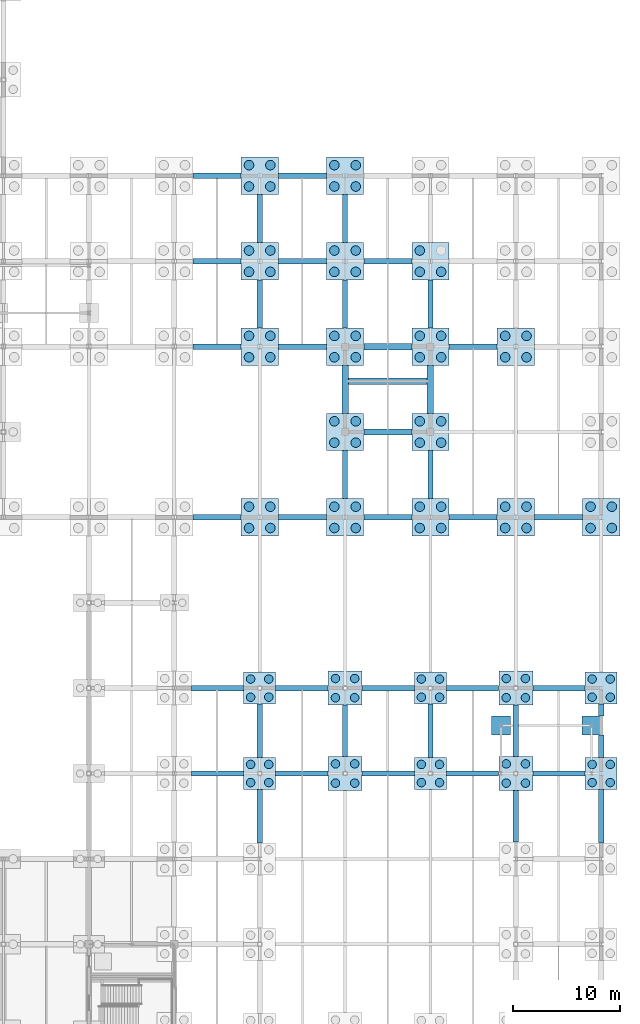
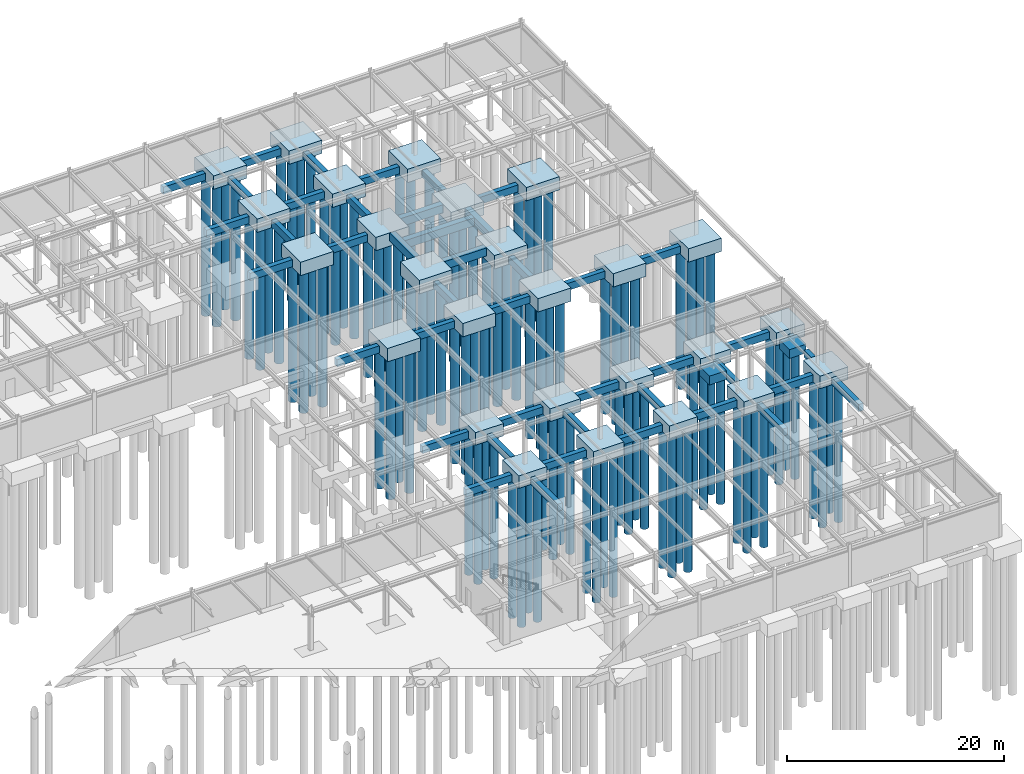
# One storey, part 10 of 72: 103 piles, 72 footings.
"""IFC4 building model written with IfcOpenShell, lengths in metres."""

from ifc_helpers import new_model, si_unit, direction, frame, origin, origin_2d, place, context, subcontext, project, spatial, rectangle, circle, extrude, material, material_profile, profile_set, type_object, element, save


model = new_model("IFC4")

# Units and contexts
model_context = context("Model", 3, precision=1e-05, world=origin(), true_north=direction((0.0, 1.0)))
body_context = subcontext(model_context, "Body", "Model", "MODEL_VIEW")
ifc_project = project(units=[si_unit("LENGTHUNIT", "METRE"), si_unit("AREAUNIT", "SQUARE_METRE"), si_unit("VOLUMEUNIT", "CUBIC_METRE"), si_unit("PLANEANGLEUNIT", "RADIAN"), si_unit("MASSUNIT", "GRAM", prefix="KILO")], contexts=[model_context])

# Site, building, storey
site_placement = place(None, origin())
site = spatial("IfcSite", under=ifc_project, at=site_placement, CompositionType="ELEMENT")
building_placement = place(site_placement, origin())
building = spatial("IfcBuilding", under=site, at=building_placement, Name="Zhaolan Boulevard Law Courts", CompositionType="ELEMENT")
storey_placement = place(building_placement, frame((0.0, 0.0, -4.800048828125)))
storey = spatial("IfcBuildingStorey", under=building, at=storey_placement, Name="B1", CompositionType="ELEMENT", Elevation=-4.800048828125)

# Piles
ifc_material_1 = material(Name="Concrete C40", Category="concrete")
ifc_material_profile_1 = material_profile(ifc_material_1, circle(Radius=0.39990234375, at=origin_2d()), Name="PILE-D800")
ifc_profile_set_1 = profile_set([ifc_material_profile_1], Name="Concrete C40")
pile_type_1 = type_object("IfcPileType", Name="BORED PILE D800", PredefinedType="BORED", material=ifc_profile_set_1)
for number, where, z_axis, x_axis, name in (
    (1, (131.14990234375, 37.14990234375, -1.300048828125), (0.0, 0.0, -1.0), (1.0, 0.0, 0.0), "Bored Pile P-17F-1"),
    (2, (132.85009765625, 37.14990234375, -1.300048828125), (0.0, 0.0, -1.0), (1.0, 0.0, 0.0), "Bored Pile P-17F-2"),
    (3, (131.14990234375, 38.85009765625, -1.300048828125), (0.0, 0.0, -1.0), (1.0, 0.0, 0.0), "Bored Pile P-17F-3"),
    (4, (132.85009765625, 38.85009765625, -1.300048828125), (0.0, 0.0, -1.0), (1.0, 0.0, 0.0), "Bored Pile P-17F-4"),
    (5, (131.14990234375, 45.14990234375, -1.300048828125), (0.0, 0.0, -1.0), (1.0, 0.0, 0.0), "Bored Pile P-17G-1"),
    (6, (132.85009765625, 45.14990234375, -1.300048828125), (0.0, 0.0, -1.0), (1.0, 0.0, 0.0), "Bored Pile P-17G-2"),
    (7, (131.14990234375, 46.85009765625, -1.300048828125), (0.0, 0.0, -1.0), (1.0, 0.0, 0.0), "Bored Pile P-17G-3"),
    (8, (132.85009765625, 46.85009765625, -1.300048828125), (0.0, 0.0, -1.0), (1.0, 0.0, 0.0), "Bored Pile P-17G-4"),
):
    element("IfcPile", number, at=place(storey_placement, frame(where, z_axis=z_axis, x_axis=x_axis)), inside=storey, type_object=pile_type_1, Name=name, PredefinedType="BORED", context=body_context, shape_type="SweptSolid", body=[
        extrude(circle(Radius=0.39990234375, at=origin_2d()), origin(), (0.0, 0.0, 1.0), 16.10009765625),
    ])
for number, where, z_axis, x_axis, name in (
    (9, (139.10009765625, 37.10009765625, -1.349853515625), (0.0, 0.0, -1.0), (1.0, 0.0, 0.0), "Bored Pile P-18F-1"),
    (10, (140.89990234375, 37.10009765625, -1.349853515625), (0.0, 0.0, -1.0), (1.0, 0.0, 0.0), "Bored Pile P-18F-2"),
    (11, (139.10009765625, 38.89990234375, -1.349853515625), (0.0, 0.0, -1.0), (1.0, 0.0, 0.0), "Bored Pile P-18F-3"),
    (12, (140.89990234375, 38.89990234375, -1.349853515625), (0.0, 0.0, -1.0), (1.0, 0.0, 0.0), "Bored Pile P-18F-4"),
    (13, (139.10009765625, 45.10009765625, -1.349853515625), (0.0, 0.0, -1.0), (1.0, 0.0, 0.0), "Bored Pile P-18G-1"),
    (14, (140.89990234375, 45.10009765625, -1.349853515625), (0.0, 0.0, -1.0), (1.0, 0.0, 0.0), "Bored Pile P-18G-2"),
    (15, (139.10009765625, 46.89990234375, -1.349853515625), (0.0, 0.0, -1.0), (1.0, 0.0, 0.0), "Bored Pile P-18G-3"),
    (16, (140.89990234375, 46.89990234375, -1.349853515625), (0.0, 0.0, -1.0), (1.0, 0.0, 0.0), "Bored Pile P-18G-4"),
):
    element("IfcPile", number, at=place(storey_placement, frame(where, z_axis=z_axis, x_axis=x_axis)), inside=storey, type_object=pile_type_1, Name=name, PredefinedType="BORED", context=body_context, shape_type="SweptSolid", body=[
        extrude(circle(Radius=0.39990234375, at=origin_2d()), origin(), (0.0, 0.0, 1.0), 16.050048828125),
    ])
for number, where, z_axis, x_axis, name in (
    (17, (147.14990234375, 37.14990234375, -1.300048828125), (0.0, 0.0, -1.0), (1.0, 0.0, 0.0), "Bored Pile P-19F-1"),
    (18, (148.85009765625, 37.14990234375, -1.300048828125), (0.0, 0.0, -1.0), (1.0, 0.0, 0.0), "Bored Pile P-19F-2"),
    (19, (147.14990234375, 38.85009765625, -1.300048828125), (0.0, 0.0, -1.0), (1.0, 0.0, 0.0), "Bored Pile P-19F-3"),
    (20, (148.85009765625, 38.85009765625, -1.300048828125), (0.0, 0.0, -1.0), (1.0, 0.0, 0.0), "Bored Pile P-19F-4"),
    (21, (147.14990234375, 45.14990234375, -1.300048828125), (0.0, 0.0, -1.0), (1.0, 0.0, 0.0), "Bored Pile P-19G-1"),
    (22, (148.85009765625, 45.14990234375, -1.300048828125), (0.0, 0.0, -1.0), (1.0, 0.0, 0.0), "Bored Pile P-19G-2"),
    (23, (147.14990234375, 46.85009765625, -1.300048828125), (0.0, 0.0, -1.0), (1.0, 0.0, 0.0), "Bored Pile P-19G-3"),
    (24, (148.85009765625, 46.85009765625, -1.300048828125), (0.0, 0.0, -1.0), (1.0, 0.0, 0.0), "Bored Pile P-19G-4"),
):
    element("IfcPile", number, at=place(storey_placement, frame(where, z_axis=z_axis, x_axis=x_axis)), inside=storey, type_object=pile_type_1, Name=name, PredefinedType="BORED", context=body_context, shape_type="SweptSolid", body=[
        extrude(circle(Radius=0.39990234375, at=origin_2d()), origin(), (0.0, 0.0, 1.0), 16.10009765625),
    ])
for number, where, z_axis, x_axis, name in (
    (25, (155.10009765625, 37.10009765625, -1.349853515625), (0.0, 0.0, -1.0), (1.0, 0.0, 0.0), "Bored Pile P-20F-1"),
    (26, (156.89990234375, 37.10009765625, -1.349853515625), (0.0, 0.0, -1.0), (1.0, 0.0, 0.0), "Bored Pile P-20F-2"),
    (27, (155.10009765625, 38.89990234375, -1.349853515625), (0.0, 0.0, -1.0), (1.0, 0.0, 0.0), "Bored Pile P-20F-3"),
    (28, (156.89990234375, 38.89990234375, -1.349853515625), (0.0, 0.0, -1.0), (1.0, 0.0, 0.0), "Bored Pile P-20F-4"),
    (29, (155.10009765625, 45.10009765625, -1.349853515625), (0.0, 0.0, -1.0), (1.0, 0.0, 0.0), "Bored Pile P-20G-1"),
    (30, (156.89990234375, 45.10009765625, -1.349853515625), (0.0, 0.0, -1.0), (1.0, 0.0, 0.0), "Bored Pile P-20G-2"),
    (31, (155.10009765625, 46.89990234375, -1.349853515625), (0.0, 0.0, -1.0), (1.0, 0.0, 0.0), "Bored Pile P-20G-3"),
    (32, (156.89990234375, 46.89990234375, -1.349853515625), (0.0, 0.0, -1.0), (1.0, 0.0, 0.0), "Bored Pile P-20G-4"),
):
    element("IfcPile", number, at=place(storey_placement, frame(where, z_axis=z_axis, x_axis=x_axis)), inside=storey, type_object=pile_type_1, Name=name, PredefinedType="BORED", context=body_context, shape_type="SweptSolid", body=[
        extrude(circle(Radius=0.39990234375, at=origin_2d()), origin(), (0.0, 0.0, 1.0), 16.050048828125),
    ])
for number, where, z_axis, x_axis, name in (
    (33, (163.14990234375, 37.14990234375, -1.300048828125), (0.0, 0.0, -1.0), (1.0, 0.0, 0.0), "Bored Pile P-21F-1"),
    (34, (164.85009765625, 37.14990234375, -1.300048828125), (0.0, 0.0, -1.0), (1.0, 0.0, 0.0), "Bored Pile P-21F-2"),
    (35, (163.14990234375, 38.85009765625, -1.300048828125), (0.0, 0.0, -1.0), (1.0, 0.0, 0.0), "Bored Pile P-21F-3"),
    (36, (164.85009765625, 38.85009765625, -1.300048828125), (0.0, 0.0, -1.0), (1.0, 0.0, 0.0), "Bored Pile P-21F-4"),
    (37, (163.14990234375, 45.14990234375, -1.300048828125), (0.0, 0.0, -1.0), (1.0, 0.0, 0.0), "Bored Pile P-21G-1"),
    (38, (164.85009765625, 45.14990234375, -1.300048828125), (0.0, 0.0, -1.0), (1.0, 0.0, 0.0), "Bored Pile P-21G-2"),
    (39, (163.14990234375, 46.85009765625, -1.300048828125), (0.0, 0.0, -1.0), (1.0, 0.0, 0.0), "Bored Pile P-21G-3"),
    (40, (164.85009765625, 46.85009765625, -1.300048828125), (0.0, 0.0, -1.0), (1.0, 0.0, 0.0), "Bored Pile P-21G-4"),
):
    element("IfcPile", number, at=place(storey_placement, frame(where, z_axis=z_axis, x_axis=x_axis)), inside=storey, type_object=pile_type_1, Name=name, PredefinedType="BORED", context=body_context, shape_type="SweptSolid", body=[
        extrude(circle(Radius=0.39990234375, at=origin_2d()), origin(), (0.0, 0.0, 1.0), 16.10009765625),
    ])
ifc_material_2 = material(Name="Concrete C40", Category="concrete")
ifc_material_profile_2 = material_profile(ifc_material_2, circle(Radius=0.449951171875, at=origin_2d()), Name="PILE-D900")
ifc_profile_set_2 = profile_set([ifc_material_profile_2], Name="Concrete C40")
pile_type_2 = type_object("IfcPileType", Name="BORED PILE D900", PredefinedType="BORED", material=ifc_profile_set_2)
for number, where, z_axis, x_axis, name in (
    (41, (131.0, 61.0, -1.39990234375), (0.0, 0.0, -1.0), (1.0, 0.0, 0.0), "Bored Pile P-17J-1"),
    (42, (133.0, 61.0, -1.39990234375), (0.0, 0.0, -1.0), (1.0, 0.0, 0.0), "Bored Pile P-17J-2"),
    (43, (131.0, 63.0, -1.39990234375), (0.0, 0.0, -1.0), (1.0, 0.0, 0.0), "Bored Pile P-17J-3"),
    (44, (133.0, 63.0, -1.39990234375), (0.0, 0.0, -1.0), (1.0, 0.0, 0.0), "Bored Pile P-17J-4"),
    (45, (131.0, 77.0, -1.39990234375), (0.0, 0.0, -1.0), (1.0, 0.0, 0.0), "Bored Pile P-17L-1"),
    (46, (133.0, 77.0, -1.39990234375), (0.0, 0.0, -1.0), (1.0, 0.0, 0.0), "Bored Pile P-17L-2"),
    (47, (131.0, 79.0, -1.39990234375), (0.0, 0.0, -1.0), (1.0, 0.0, 0.0), "Bored Pile P-17L-3"),
    (48, (133.0, 79.0, -1.39990234375), (0.0, 0.0, -1.0), (1.0, 0.0, 0.0), "Bored Pile P-17L-4"),
    (49, (131.0, 85.0, -1.39990234375), (0.0, 0.0, -1.0), (1.0, 0.0, 0.0), "Bored Pile P-17M-1"),
    (50, (133.0, 85.0, -1.39990234375), (0.0, 0.0, -1.0), (1.0, 0.0, 0.0), "Bored Pile P-17M-2"),
    (51, (131.0, 87.0, -1.39990234375), (0.0, 0.0, -1.0), (1.0, 0.0, 0.0), "Bored Pile P-17M-3"),
    (52, (133.0, 87.0, -1.39990234375), (0.0, 0.0, -1.0), (1.0, 0.0, 0.0), "Bored Pile P-17M-4"),
    (53, (131.0, 93.0, -1.39990234375), (0.0, 0.0, -1.0), (1.0, 0.0, 0.0), "Bored Pile P-17N-1"),
    (54, (133.0, 93.0, -1.39990234375), (0.0, 0.0, -1.0), (1.0, 0.0, 0.0), "Bored Pile P-17N-2"),
    (55, (131.0, 95.0, -1.39990234375), (0.0, 0.0, -1.0), (1.0, 0.0, 0.0), "Bored Pile P-17N-3"),
    (56, (133.0, 95.0, -1.39990234375), (0.0, 0.0, -1.0), (1.0, 0.0, 0.0), "Bored Pile P-17N-4"),
    (57, (139.0, 61.0, -1.39990234375), (0.0, 0.0, -1.0), (1.0, 0.0, 0.0), "Bored Pile P-18J-1"),
    (58, (141.0, 61.0, -1.39990234375), (0.0, 0.0, -1.0), (1.0, 0.0, 0.0), "Bored Pile P-18J-2"),
    (59, (139.0, 63.0, -1.39990234375), (0.0, 0.0, -1.0), (1.0, 0.0, 0.0), "Bored Pile P-18J-3"),
    (60, (141.0, 63.0, -1.39990234375), (0.0, 0.0, -1.0), (1.0, 0.0, 0.0), "Bored Pile P-18J-4"),
    (61, (139.0, 69.0, -1.39990234375), (0.0, 0.0, -1.0), (1.0, 0.0, 0.0), "Bored Pile P-18K-1"),
    (62, (141.0, 69.0, -1.39990234375), (0.0, 0.0, -1.0), (1.0, 0.0, 0.0), "Bored Pile P-18K-2"),
    (63, (139.0, 71.0, -1.39990234375), (0.0, 0.0, -1.0), (1.0, 0.0, 0.0), "Bored Pile P-18K-3"),
    (64, (141.0, 71.0, -1.39990234375), (0.0, 0.0, -1.0), (1.0, 0.0, 0.0), "Bored Pile P-18K-4"),
    (65, (139.0, 77.0, -1.39990234375), (0.0, 0.0, -1.0), (1.0, 0.0, 0.0), "Bored Pile P-18L-1"),
    (66, (141.0, 77.0, -1.39990234375), (0.0, 0.0, -1.0), (1.0, 0.0, 0.0), "Bored Pile P-18L-2"),
    (67, (139.0, 79.0, -1.39990234375), (0.0, 0.0, -1.0), (1.0, 0.0, 0.0), "Bored Pile P-18L-3"),
    (68, (141.0, 79.0, -1.39990234375), (0.0, 0.0, -1.0), (1.0, 0.0, 0.0), "Bored Pile P-18L-4"),
    (69, (139.0, 85.0, -1.39990234375), (0.0, 0.0, -1.0), (1.0, 0.0, 0.0), "Bored Pile P-18M-1"),
    (70, (141.0, 85.0, -1.39990234375), (0.0, 0.0, -1.0), (1.0, 0.0, 0.0), "Bored Pile P-18M-2"),
    (71, (139.0, 87.0, -1.39990234375), (0.0, 0.0, -1.0), (1.0, 0.0, 0.0), "Bored Pile P-18M-3"),
    (72, (141.0, 87.0, -1.39990234375), (0.0, 0.0, -1.0), (1.0, 0.0, 0.0), "Bored Pile P-18M-4"),
    (73, (139.0, 93.0, -1.39990234375), (0.0, 0.0, -1.0), (1.0, 0.0, 0.0), "Bored Pile P-18N-1"),
    (74, (141.0, 93.0, -1.39990234375), (0.0, 0.0, -1.0), (1.0, 0.0, 0.0), "Bored Pile P-18N-2"),
    (75, (139.0, 95.0, -1.39990234375), (0.0, 0.0, -1.0), (1.0, 0.0, 0.0), "Bored Pile P-18N-3"),
    (76, (141.0, 95.0, -1.39990234375), (0.0, 0.0, -1.0), (1.0, 0.0, 0.0), "Bored Pile P-18N-4"),
    (77, (147.0, 61.0, -1.39990234375), (0.0, 0.0, -1.0), (1.0, 0.0, 0.0), "Bored Pile P-19J-1"),
    (78, (149.0, 61.0, -1.39990234375), (0.0, 0.0, -1.0), (1.0, 0.0, 0.0), "Bored Pile P-19J-2"),
    (79, (147.0, 63.0, -1.39990234375), (0.0, 0.0, -1.0), (1.0, 0.0, 0.0), "Bored Pile P-19J-3"),
    (80, (149.0, 63.0, -1.39990234375), (0.0, 0.0, -1.0), (1.0, 0.0, 0.0), "Bored Pile P-19J-4"),
    (81, (147.0, 69.0, -1.39990234375), (0.0, 0.0, -1.0), (1.0, 0.0, 0.0), "Bored Pile P-19K-1"),
    (82, (149.0, 69.0, -1.39990234375), (0.0, 0.0, -1.0), (1.0, 0.0, 0.0), "Bored Pile P-19K-2"),
    (83, (147.0, 71.0, -1.39990234375), (0.0, 0.0, -1.0), (1.0, 0.0, 0.0), "Bored Pile P-19K-3"),
    (84, (149.0, 71.0, -1.39990234375), (0.0, 0.0, -1.0), (1.0, 0.0, 0.0), "Bored Pile P-19K-4"),
    (85, (147.0, 77.0, -1.39990234375), (0.0, 0.0, -1.0), (1.0, 0.0, 0.0), "Bored Pile P-19L-1"),
    (86, (149.0, 77.0, -1.39990234375), (0.0, 0.0, -1.0), (1.0, 0.0, 0.0), "Bored Pile P-19L-2"),
    (87, (147.0, 79.0, -1.39990234375), (0.0, 0.0, -1.0), (1.0, 0.0, 0.0), "Bored Pile P-19L-3"),
    (88, (149.0, 79.0, -1.39990234375), (0.0, 0.0, -1.0), (1.0, 0.0, 0.0), "Bored Pile P-19L-4"),
    (89, (147.0, 85.0, -1.39990234375), (0.0, 0.0, -1.0), (1.0, 0.0, 0.0), "Bored Pile P-19M-1"),
    (90, (149.0, 85.0, -1.39990234375), (0.0, 0.0, -1.0), (1.0, 0.0, 0.0), "Bored Pile P-19M-2"),
    (91, (147.0, 87.0, -1.39990234375), (0.0, 0.0, -1.0), (1.0, 0.0, 0.0), "Bored Pile P-19M-3"),
    (92, (155.0, 61.0, -1.39990234375), (0.0, 0.0, -1.0), (1.0, 0.0, 0.0), "Bored Pile P-20J-1"),
    (93, (157.0, 61.0, -1.39990234375), (0.0, 0.0, -1.0), (1.0, 0.0, 0.0), "Bored Pile P-20J-2"),
    (94, (155.0, 63.0, -1.39990234375), (0.0, 0.0, -1.0), (1.0, 0.0, 0.0), "Bored Pile P-20J-3"),
    (95, (157.0, 63.0, -1.39990234375), (0.0, 0.0, -1.0), (1.0, 0.0, 0.0), "Bored Pile P-20J-4"),
    (96, (155.0, 77.0, -1.39990234375), (0.0, 0.0, -1.0), (1.0, 0.0, 0.0), "Bored Pile P-20L-1"),
    (97, (157.0, 77.0, -1.39990234375), (0.0, 0.0, -1.0), (1.0, 0.0, 0.0), "Bored Pile P-20L-2"),
    (98, (155.0, 79.0, -1.39990234375), (0.0, 0.0, -1.0), (1.0, 0.0, 0.0), "Bored Pile P-20L-3"),
    (99, (157.0, 79.0, -1.39990234375), (0.0, 0.0, -1.0), (1.0, 0.0, 0.0), "Bored Pile P-20L-4"),
    (100, (163.0, 61.0, -1.39990234375), (0.0, 0.0, -1.0), (1.0, 0.0, 0.0), "Bored Pile P-21J-1"),
    (101, (165.0, 61.0, -1.39990234375), (0.0, 0.0, -1.0), (1.0, 0.0, 0.0), "Bored Pile P-21J-2"),
    (102, (163.0, 63.0, -1.39990234375), (0.0, 0.0, -1.0), (1.0, 0.0, 0.0), "Bored Pile P-21J-3"),
    (103, (165.0, 63.0, -1.39990234375), (0.0, 0.0, -1.0), (1.0, 0.0, 0.0), "Bored Pile P-21J-4"),
):
    element("IfcPile", number, at=place(storey_placement, frame(where, z_axis=z_axis, x_axis=x_axis)), inside=storey, type_object=pile_type_2, Name=name, PredefinedType="BORED", context=body_context, shape_type="SweptSolid", body=[
        extrude(circle(Radius=0.449951171875, at=origin_2d()), origin(), (0.0, 0.0, 1.0), 16.0),
    ])

# Footings
ifc_material_3 = material(Name="Concrete C40", Category="concrete")
footing_type_1 = type_object("IfcFootingType", Name="PAD FOOTING 1800X1800X1000", PredefinedType="PAD_FOOTING", material=ifc_material_3)
for number, where, z_axis, x_axis, name in (
    (104, (154.60009765625, 42.5, -1.0), (0.0, 0.0, 1.0), (1.0, 0.0, 0.0), "Stairwell Corner Pad Footing PF-ST07-3"),
    (105, (163.10009765625, 42.5, -1.0), (0.0, 0.0, 1.0), (1.0, 0.0, 0.0), "Stairwell Corner Pad Footing PF-ST07-4"),
):
    element("IfcFooting", number, at=place(storey_placement, frame(where, z_axis=z_axis, x_axis=x_axis)), inside=storey, type_object=footing_type_1, Name=name, PredefinedType="PAD_FOOTING", context=body_context, shape_type="SweptSolid", body=[
        extrude(rectangle(XDim=1.800048828125, YDim=1.800048828125, at=origin_2d()), origin(), (0.0, 0.0, 1.0), 1.0),
    ])
ifc_material_4 = material(Name="Concrete C40", Category="concrete")
footing_type_2 = type_object("IfcFootingType", Name="PILE CAP 3000X3000X1400", PredefinedType="PILE_CAP", material=ifc_material_4)
for number, where, z_axis, x_axis, name in (
    (106, (132.0, 38.0, -1.39990234375), (0.0, 0.0, 1.0), (1.0, 0.0, 0.0), "Pile Cap PC-17F"),
    (107, (132.0, 46.0, -1.39990234375), (0.0, 0.0, 1.0), (1.0, 0.0, 0.0), "Pile Cap PC-17G"),
    (108, (148.0, 38.0, -1.39990234375), (0.0, 0.0, 1.0), (1.0, 0.0, 0.0), "Pile Cap PC-19F"),
    (109, (148.0, 46.0, -1.39990234375), (0.0, 0.0, 1.0), (1.0, 0.0, 0.0), "Pile Cap PC-19G"),
    (110, (164.0, 38.0, -1.39990234375), (0.0, 0.0, 1.0), (1.0, 0.0, 0.0), "Pile Cap PC-21F"),
    (111, (164.0, 46.0, -1.39990234375), (0.0, 0.0, 1.0), (1.0, 0.0, 0.0), "Pile Cap PC-21G"),
):
    element("IfcFooting", number, at=place(storey_placement, frame(where, z_axis=z_axis, x_axis=x_axis)), inside=storey, type_object=footing_type_2, Name=name, PredefinedType="PILE_CAP", context=body_context, shape_type="SweptSolid", body=[
        extrude(rectangle(XDim=3.0, YDim=3.0, at=origin_2d()), origin(), (0.0, 0.0, 1.0), 1.39990234375),
    ])
ifc_material_5 = material(Name="Concrete C40", Category="concrete")
footing_type_3 = type_object("IfcFootingType", Name="PILE CAP 3200X3200X1450", PredefinedType="PILE_CAP", material=ifc_material_5)
for number, where, z_axis, x_axis, name in (
    (112, (140.0, 38.0, -1.44970703125), (0.0, 0.0, 1.0), (1.0, 0.0, 0.0), "Pile Cap PC-18F"),
    (113, (140.0, 46.0, -1.44970703125), (0.0, 0.0, 1.0), (1.0, 0.0, 0.0), "Pile Cap PC-18G"),
    (114, (156.0, 38.0, -1.44970703125), (0.0, 0.0, 1.0), (1.0, 0.0, 0.0), "Pile Cap PC-20F"),
    (115, (156.0, 46.0, -1.44970703125), (0.0, 0.0, 1.0), (1.0, 0.0, 0.0), "Pile Cap PC-20G"),
):
    element("IfcFooting", number, at=place(storey_placement, frame(where, z_axis=z_axis, x_axis=x_axis)), inside=storey, type_object=footing_type_3, Name=name, PredefinedType="PILE_CAP", context=body_context, shape_type="SweptSolid", body=[
        extrude(rectangle(XDim=3.199951171875, YDim=3.199951171875, at=origin_2d()), origin(), (0.0, 0.0, 1.0), 1.449951171875),
    ])
ifc_material_6 = material(Name="Concrete C40", Category="concrete")
footing_type_4 = type_object("IfcFootingType", Name="PILE CAP 3500X3500X1500", PredefinedType="PILE_CAP", material=ifc_material_6)
for number, where, z_axis, x_axis, name in (
    (116, (132.0, 62.0, -1.5), (0.0, 0.0, 1.0), (1.0, 0.0, 0.0), "Pile Cap PC-17J"),
    (117, (132.0, 78.0, -1.5), (0.0, 0.0, 1.0), (1.0, 0.0, 0.0), "Pile Cap PC-17L"),
    (118, (132.0, 86.0, -1.5), (0.0, 0.0, 1.0), (1.0, 0.0, 0.0), "Pile Cap PC-17M"),
    (119, (132.0, 94.0, -1.5), (0.0, 0.0, 1.0), (1.0, 0.0, 0.0), "Pile Cap PC-17N"),
    (120, (140.0, 62.0, -1.5), (0.0, 0.0, 1.0), (1.0, 0.0, 0.0), "Pile Cap PC-18J"),
    (121, (140.0, 70.0, -1.5), (0.0, 0.0, 1.0), (1.0, 0.0, 0.0), "Pile Cap PC-18K"),
    (122, (140.0, 78.0, -1.5), (0.0, 0.0, 1.0), (1.0, 0.0, 0.0), "Pile Cap PC-18L"),
    (123, (140.0, 86.0, -1.5), (0.0, 0.0, 1.0), (1.0, 0.0, 0.0), "Pile Cap PC-18M"),
    (124, (140.0, 94.0, -1.5), (0.0, 0.0, 1.0), (1.0, 0.0, 0.0), "Pile Cap PC-18N"),
    (125, (148.0, 62.0, -1.5), (0.0, 0.0, 1.0), (1.0, 0.0, 0.0), "Pile Cap PC-19J"),
    (126, (148.0, 70.0, -1.5), (0.0, 0.0, 1.0), (1.0, 0.0, 0.0), "Pile Cap PC-19K"),
    (127, (148.0, 78.0, -1.5), (0.0, 0.0, 1.0), (1.0, 0.0, 0.0), "Pile Cap PC-19L"),
    (128, (148.0, 86.0, -1.5), (0.0, 0.0, 1.0), (1.0, 0.0, 0.0), "Pile Cap PC-19M"),
    (129, (156.0, 62.0, -1.5), (0.0, 0.0, 1.0), (1.0, 0.0, 0.0), "Pile Cap PC-20J"),
    (130, (156.0, 78.0, -1.5), (0.0, 0.0, 1.0), (1.0, 0.0, 0.0), "Pile Cap PC-20L"),
    (131, (164.0, 62.0, -1.5), (0.0, 0.0, 1.0), (1.0, 0.0, 0.0), "Pile Cap PC-21J"),
):
    element("IfcFooting", number, at=place(storey_placement, frame(where, z_axis=z_axis, x_axis=x_axis)), inside=storey, type_object=footing_type_4, Name=name, PredefinedType="PILE_CAP", context=body_context, shape_type="SweptSolid", body=[
        extrude(rectangle(XDim=3.5, YDim=3.5, at=origin_2d()), origin(), (0.0, 0.0, 1.0), 1.5),
    ])
ifc_material_7 = material(Name="Concrete C40", Category="concrete")
ifc_material_profile_3 = material_profile(ifc_material_7, rectangle(XDim=0.60009765625, YDim=0.89990234375, at=origin_2d()), Name="RC600x900")
ifc_profile_set_3 = profile_set([ifc_material_profile_3], Name="Concrete C40")
footing_type_5 = type_object("IfcFootingType", Name="STRIP FOOTING 600X900", PredefinedType="STRIP_FOOTING", material=ifc_profile_set_3)
for number, where, z_axis, x_axis, name in (
    (132, (141.751953125, 70.0, -0.449951171875), (1.0, 0.0, 0.0), (0.0, 1.0, 0.0), "Core Foundation Tie Beam GB-T2-S"),
    (133, (141.751953125, 78.0, -0.449951171875), (1.0, 0.0, 0.0), (0.0, 1.0, 0.0), "Core Foundation Tie Beam GB-T2-N"),
    (134, (140.0, 71.751953125, -0.449951171875), (0.0, 1.0, 0.0), (-1.0, 0.0, 0.0), "Core Foundation Tie Beam GB-T2-W"),
    (135, (148.0, 71.751953125, -0.449951171875), (0.0, 1.0, 0.0), (-1.0, 0.0, 0.0), "Core Foundation Tie Beam GB-T2-E"),
):
    element("IfcFooting", number, at=place(storey_placement, frame(where, z_axis=z_axis, x_axis=x_axis)), inside=storey, type_object=footing_type_5, Name=name, PredefinedType="STRIP_FOOTING", context=body_context, shape_type="SweptSolid", body=[
        extrude(rectangle(XDim=0.60009765625, YDim=0.89990234375, at=origin_2d()), origin(), (0.0, 0.0, 1.0), 4.49609375),
    ])
footing_1_placement = place(storey_placement, frame((140.302001953125, 74.75, -0.449951171875), z_axis=(1.0, 0.0, 0.0), x_axis=(0.0, 1.0, 0.0)))
element("IfcFooting", 136, at=footing_1_placement, inside=storey, type_object=footing_type_5, Name="Stair Divider Strip Footing SF-ST09-DN", PredefinedType="STRIP_FOOTING", context=body_context, shape_type="SweptSolid", body=[
    extrude(rectangle(XDim=0.60009765625, YDim=0.89990234375, at=origin_2d()), origin(), (0.0, 0.0, 1.0), 7.39599609375),
])
ifc_material_8 = material(Name="Concrete C40", Category="concrete")
ifc_material_profile_4 = material_profile(ifc_material_8, rectangle(XDim=0.5, YDim=0.800048828125, at=origin_2d()), Name="RC500x800")
ifc_profile_set_4 = profile_set([ifc_material_profile_4], Name="Concrete C40")
footing_type_6 = type_object("IfcFootingType", Name="TIE BEAM 500X800", PredefinedType="FOOTING_BEAM", material=ifc_profile_set_4)
for number, where, z_axis, x_axis, name in (
    (137, (125.60205078125, 38.0, -1.0), (1.0, 0.0, 0.0), (0.0, 1.0, 0.0), "Foundation Tie Beam TBX-16-17-F"),
    (138, (125.60205078125, 46.0, -1.0), (1.0, 0.0, 0.0), (0.0, 1.0, 0.0), "Foundation Tie Beam TBX-16-17-G"),
):
    element("IfcFooting", number, at=place(storey_placement, frame(where, z_axis=z_axis, x_axis=x_axis)), inside=storey, type_object=footing_type_6, Name=name, PredefinedType="FOOTING_BEAM", context=body_context, shape_type="SweptSolid", body=[
        extrude(rectangle(XDim=0.5, YDim=0.800048828125, at=origin_2d()), origin(), (0.0, 0.0, 1.0), 4.89599609375),
    ])
for number, where, z_axis, x_axis, name in (
    (139, (125.751953125, 62.0, -1.0), (1.0, 0.0, 0.0), (0.0, 1.0, 0.0), "Foundation Tie Beam TBX-16-17-J"),
    (140, (125.751953125, 78.0, -1.0), (1.0, 0.0, 0.0), (0.0, 1.0, 0.0), "Foundation Tie Beam TBX-16-17-L"),
    (141, (125.751953125, 86.0, -1.0), (1.0, 0.0, 0.0), (0.0, 1.0, 0.0), "Foundation Tie Beam TBX-16-17-M"),
    (142, (125.751953125, 94.0, -1.0), (1.0, 0.0, 0.0), (0.0, 1.0, 0.0), "Foundation Tie Beam TBX-16-17-N"),
):
    element("IfcFooting", number, at=place(storey_placement, frame(where, z_axis=z_axis, x_axis=x_axis)), inside=storey, type_object=footing_type_6, Name=name, PredefinedType="FOOTING_BEAM", context=body_context, shape_type="SweptSolid", body=[
        extrude(rectangle(XDim=0.5, YDim=0.800048828125, at=origin_2d()), origin(), (0.0, 0.0, 1.0), 4.49609375),
    ])
for number, where, z_axis, x_axis, name in (
    (143, (133.501953125, 38.0, -1.0), (1.0, 0.0, 0.0), (0.0, 1.0, 0.0), "Foundation Tie Beam TBX-17-18-F"),
    (144, (133.501953125, 46.0, -1.0), (1.0, 0.0, 0.0), (0.0, 1.0, 0.0), "Foundation Tie Beam TBX-17-18-G"),
):
    element("IfcFooting", number, at=place(storey_placement, frame(where, z_axis=z_axis, x_axis=x_axis)), inside=storey, type_object=footing_type_6, Name=name, PredefinedType="FOOTING_BEAM", context=body_context, shape_type="SweptSolid", body=[
        extrude(rectangle(XDim=0.5, YDim=0.800048828125, at=origin_2d()), origin(), (0.0, 0.0, 1.0), 4.89599609375),
    ])
for number, where, z_axis, x_axis, name in (
    (145, (133.751953125, 62.0, -1.0), (1.0, 0.0, 0.0), (0.0, 1.0, 0.0), "Foundation Tie Beam TBX-17-18-J"),
    (146, (133.751953125, 78.0, -1.0), (1.0, 0.0, 0.0), (0.0, 1.0, 0.0), "Foundation Tie Beam TBX-17-18-L"),
    (147, (133.751953125, 86.0, -1.0), (1.0, 0.0, 0.0), (0.0, 1.0, 0.0), "Foundation Tie Beam TBX-17-18-M"),
    (148, (133.751953125, 94.0, -1.0), (1.0, 0.0, 0.0), (0.0, 1.0, 0.0), "Foundation Tie Beam TBX-17-18-N"),
):
    element("IfcFooting", number, at=place(storey_placement, frame(where, z_axis=z_axis, x_axis=x_axis)), inside=storey, type_object=footing_type_6, Name=name, PredefinedType="FOOTING_BEAM", context=body_context, shape_type="SweptSolid", body=[
        extrude(rectangle(XDim=0.5, YDim=0.800048828125, at=origin_2d()), origin(), (0.0, 0.0, 1.0), 4.49609375),
    ])
for number, where, z_axis, x_axis, name in (
    (149, (141.60205078125, 38.0, -1.0), (1.0, 0.0, 0.0), (0.0, 1.0, 0.0), "Foundation Tie Beam TBX-18-19-F"),
    (150, (141.60205078125, 46.0, -1.0), (1.0, 0.0, 0.0), (0.0, 1.0, 0.0), "Foundation Tie Beam TBX-18-19-G"),
):
    element("IfcFooting", number, at=place(storey_placement, frame(where, z_axis=z_axis, x_axis=x_axis)), inside=storey, type_object=footing_type_6, Name=name, PredefinedType="FOOTING_BEAM", context=body_context, shape_type="SweptSolid", body=[
        extrude(rectangle(XDim=0.5, YDim=0.800048828125, at=origin_2d()), origin(), (0.0, 0.0, 1.0), 4.89599609375),
    ])
for number, where, z_axis, x_axis, name in (
    (151, (141.751953125, 62.0, -1.0), (1.0, 0.0, 0.0), (0.0, 1.0, 0.0), "Foundation Tie Beam TBX-18-19-J"),
    (152, (141.751953125, 86.0, -1.0), (1.0, 0.0, 0.0), (0.0, 1.0, 0.0), "Foundation Tie Beam TBX-18-19-M"),
):
    element("IfcFooting", number, at=place(storey_placement, frame(where, z_axis=z_axis, x_axis=x_axis)), inside=storey, type_object=footing_type_6, Name=name, PredefinedType="FOOTING_BEAM", context=body_context, shape_type="SweptSolid", body=[
        extrude(rectangle(XDim=0.5, YDim=0.800048828125, at=origin_2d()), origin(), (0.0, 0.0, 1.0), 4.49609375),
    ])
for number, where, z_axis, x_axis, name in (
    (153, (149.501953125, 38.0, -1.0), (1.0, 0.0, 0.0), (0.0, 1.0, 0.0), "Foundation Tie Beam TBX-19-20-F"),
    (154, (149.501953125, 46.0, -1.0), (1.0, 0.0, 0.0), (0.0, 1.0, 0.0), "Foundation Tie Beam TBX-19-20-G"),
):
    element("IfcFooting", number, at=place(storey_placement, frame(where, z_axis=z_axis, x_axis=x_axis)), inside=storey, type_object=footing_type_6, Name=name, PredefinedType="FOOTING_BEAM", context=body_context, shape_type="SweptSolid", body=[
        extrude(rectangle(XDim=0.5, YDim=0.800048828125, at=origin_2d()), origin(), (0.0, 0.0, 1.0), 4.89599609375),
    ])
for number, where, z_axis, x_axis, name in (
    (155, (149.751953125, 62.0, -1.0), (1.0, 0.0, 0.0), (0.0, 1.0, 0.0), "Foundation Tie Beam TBX-19-20-J"),
    (156, (149.751953125, 78.0, -1.0), (1.0, 0.0, 0.0), (0.0, 1.0, 0.0), "Foundation Tie Beam TBX-19-20-L"),
):
    element("IfcFooting", number, at=place(storey_placement, frame(where, z_axis=z_axis, x_axis=x_axis)), inside=storey, type_object=footing_type_6, Name=name, PredefinedType="FOOTING_BEAM", context=body_context, shape_type="SweptSolid", body=[
        extrude(rectangle(XDim=0.5, YDim=0.800048828125, at=origin_2d()), origin(), (0.0, 0.0, 1.0), 4.49609375),
    ])
for number, where, z_axis, x_axis, name in (
    (157, (157.60205078125, 38.0, -1.0), (1.0, 0.0, 0.0), (0.0, 1.0, 0.0), "Foundation Tie Beam TBX-20-21-F"),
    (158, (157.60205078125, 46.0, -1.0), (1.0, 0.0, 0.0), (0.0, 1.0, 0.0), "Foundation Tie Beam TBX-20-21-G"),
):
    element("IfcFooting", number, at=place(storey_placement, frame(where, z_axis=z_axis, x_axis=x_axis)), inside=storey, type_object=footing_type_6, Name=name, PredefinedType="FOOTING_BEAM", context=body_context, shape_type="SweptSolid", body=[
        extrude(rectangle(XDim=0.5, YDim=0.800048828125, at=origin_2d()), origin(), (0.0, 0.0, 1.0), 4.89599609375),
    ])
footing_2_placement = place(storey_placement, frame((157.751953125, 62.0, -1.0), z_axis=(1.0, 0.0, 0.0), x_axis=(0.0, 1.0, 0.0)))
element("IfcFooting", 159, at=footing_2_placement, inside=storey, type_object=footing_type_6, Name="Foundation Tie Beam TBX-20-21-J", PredefinedType="FOOTING_BEAM", context=body_context, shape_type="SweptSolid", body=[
    extrude(rectangle(XDim=0.5, YDim=0.800048828125, at=origin_2d()), origin(), (0.0, 0.0, 1.0), 4.49609375),
])
for number, where, z_axis, x_axis, name in (
    (160, (132.0, 31.501953125, -1.0), (0.0, 1.0, 0.0), (-1.0, 0.0, 0.0), "Foundation Tie Beam TBY-17-E-F"),
    (161, (132.0, 39.501953125, -1.0), (0.0, 1.0, 0.0), (-1.0, 0.0, 0.0), "Foundation Tie Beam TBY-17-F-G"),
):
    element("IfcFooting", number, at=place(storey_placement, frame(where, z_axis=z_axis, x_axis=x_axis)), inside=storey, type_object=footing_type_6, Name=name, PredefinedType="FOOTING_BEAM", context=body_context, shape_type="SweptSolid", body=[
        extrude(rectangle(XDim=0.5, YDim=0.800048828125, at=origin_2d()), origin(), (0.0, 0.0, 1.0), 4.99609375),
    ])
for number, where, z_axis, x_axis, name in (
    (162, (132.0, 79.751953125, -1.0), (0.0, 1.0, 0.0), (-1.0, 0.0, 0.0), "Foundation Tie Beam TBY-17-L-M"),
    (163, (132.0, 87.751953125, -1.0), (0.0, 1.0, 0.0), (-1.0, 0.0, 0.0), "Foundation Tie Beam TBY-17-M-N"),
):
    element("IfcFooting", number, at=place(storey_placement, frame(where, z_axis=z_axis, x_axis=x_axis)), inside=storey, type_object=footing_type_6, Name=name, PredefinedType="FOOTING_BEAM", context=body_context, shape_type="SweptSolid", body=[
        extrude(rectangle(XDim=0.5, YDim=0.800048828125, at=origin_2d()), origin(), (0.0, 0.0, 1.0), 4.49609375),
    ])
footing_3_placement = place(storey_placement, frame((140.0, 39.60205078125, -1.0), z_axis=(0.0, 1.0, 0.0), x_axis=(-1.0, 0.0, 0.0)))
element("IfcFooting", 164, at=footing_3_placement, inside=storey, type_object=footing_type_6, Name="Foundation Tie Beam TBY-18-F-G", PredefinedType="FOOTING_BEAM", context=body_context, shape_type="SweptSolid", body=[
    extrude(rectangle(XDim=0.5, YDim=0.800048828125, at=origin_2d()), origin(), (0.0, 0.0, 1.0), 4.7958984375),
])
for number, where, z_axis, x_axis, name in (
    (165, (140.0, 63.751953125, -1.0), (0.0, 1.0, 0.0), (-1.0, 0.0, 0.0), "Foundation Tie Beam TBY-18-J-K"),
    (166, (140.0, 79.751953125, -1.0), (0.0, 1.0, 0.0), (-1.0, 0.0, 0.0), "Foundation Tie Beam TBY-18-L-M"),
    (167, (140.0, 87.751953125, -1.0), (0.0, 1.0, 0.0), (-1.0, 0.0, 0.0), "Foundation Tie Beam TBY-18-M-N"),
):
    element("IfcFooting", number, at=place(storey_placement, frame(where, z_axis=z_axis, x_axis=x_axis)), inside=storey, type_object=footing_type_6, Name=name, PredefinedType="FOOTING_BEAM", context=body_context, shape_type="SweptSolid", body=[
        extrude(rectangle(XDim=0.5, YDim=0.800048828125, at=origin_2d()), origin(), (0.0, 0.0, 1.0), 4.49609375),
    ])
footing_4_placement = place(storey_placement, frame((148.0, 39.501953125, -1.0), z_axis=(0.0, 1.0, 0.0), x_axis=(-1.0, 0.0, 0.0)))
element("IfcFooting", 168, at=footing_4_placement, inside=storey, type_object=footing_type_6, Name="Foundation Tie Beam TBY-19-F-G", PredefinedType="FOOTING_BEAM", context=body_context, shape_type="SweptSolid", body=[
    extrude(rectangle(XDim=0.5, YDim=0.800048828125, at=origin_2d()), origin(), (0.0, 0.0, 1.0), 4.99609375),
])
for number, where, z_axis, x_axis, name in (
    (169, (148.0, 63.751953125, -1.0), (0.0, 1.0, 0.0), (-1.0, 0.0, 0.0), "Foundation Tie Beam TBY-19-J-K"),
    (170, (148.0, 79.751953125, -1.0), (0.0, 1.0, 0.0), (-1.0, 0.0, 0.0), "Foundation Tie Beam TBY-19-L-M"),
):
    element("IfcFooting", number, at=place(storey_placement, frame(where, z_axis=z_axis, x_axis=x_axis)), inside=storey, type_object=footing_type_6, Name=name, PredefinedType="FOOTING_BEAM", context=body_context, shape_type="SweptSolid", body=[
        extrude(rectangle(XDim=0.5, YDim=0.800048828125, at=origin_2d()), origin(), (0.0, 0.0, 1.0), 4.49609375),
    ])
for number, where, z_axis, x_axis, name in (
    (171, (156.0, 31.60205078125, -1.0), (0.0, 1.0, 0.0), (-1.0, 0.0, 0.0), "Foundation Tie Beam TBY-20-E-F"),
    (172, (156.0, 39.60205078125, -1.0), (0.0, 1.0, 0.0), (-1.0, 0.0, 0.0), "Foundation Tie Beam TBY-20-F-G"),
):
    element("IfcFooting", number, at=place(storey_placement, frame(where, z_axis=z_axis, x_axis=x_axis)), inside=storey, type_object=footing_type_6, Name=name, PredefinedType="FOOTING_BEAM", context=body_context, shape_type="SweptSolid", body=[
        extrude(rectangle(XDim=0.5, YDim=0.800048828125, at=origin_2d()), origin(), (0.0, 0.0, 1.0), 4.7958984375),
    ])
footing_5_placement = place(storey_placement, frame((164.0, 31.501953125, -1.0), z_axis=(0.0, 1.0, 0.0), x_axis=(-1.0, 0.0, 0.0)))
element("IfcFooting", 173, at=footing_5_placement, inside=storey, type_object=footing_type_6, Name="Foundation Tie Beam TBY-21-E-F", PredefinedType="FOOTING_BEAM", context=body_context, shape_type="SweptSolid", body=[
    extrude(rectangle(XDim=0.5, YDim=0.800048828125, at=origin_2d()), origin(), (0.0, 0.0, 1.0), 4.99609375),
])
footing_6_placement = place(storey_placement, frame((164.0, 39.501953125, -1.0), z_axis=(0.0, 1.0, 0.0), x_axis=(-1.0, 0.0, 0.0)))
element("IfcFooting", 174, at=footing_6_placement, inside=storey, type_object=footing_type_6, Name="Foundation Tie Beam TBY-21-F-G", PredefinedType="FOOTING_BEAM", context=body_context, shape_type="SweptSolid", body=[
    extrude(rectangle(XDim=0.5, YDim=0.800048828125, at=origin_2d()), origin(), (0.0, 0.0, 1.0), 2.095947265625),
])
footing_7_placement = place(storey_placement, frame((164.0, 43.402099609375, -1.0), z_axis=(0.0, 1.0, 0.0), x_axis=(-1.0, 0.0, 0.0)))
element("IfcFooting", 175, at=footing_7_placement, inside=storey, type_object=footing_type_6, Name="Foundation Tie Beam TBY-21-F-GB", PredefinedType="FOOTING_BEAM", context=body_context, shape_type="SweptSolid", body=[
    extrude(rectangle(XDim=0.5, YDim=0.800048828125, at=origin_2d()), origin(), (0.0, 0.0, 1.0), 1.095947265625),
])

save(model, "model.ifc")
